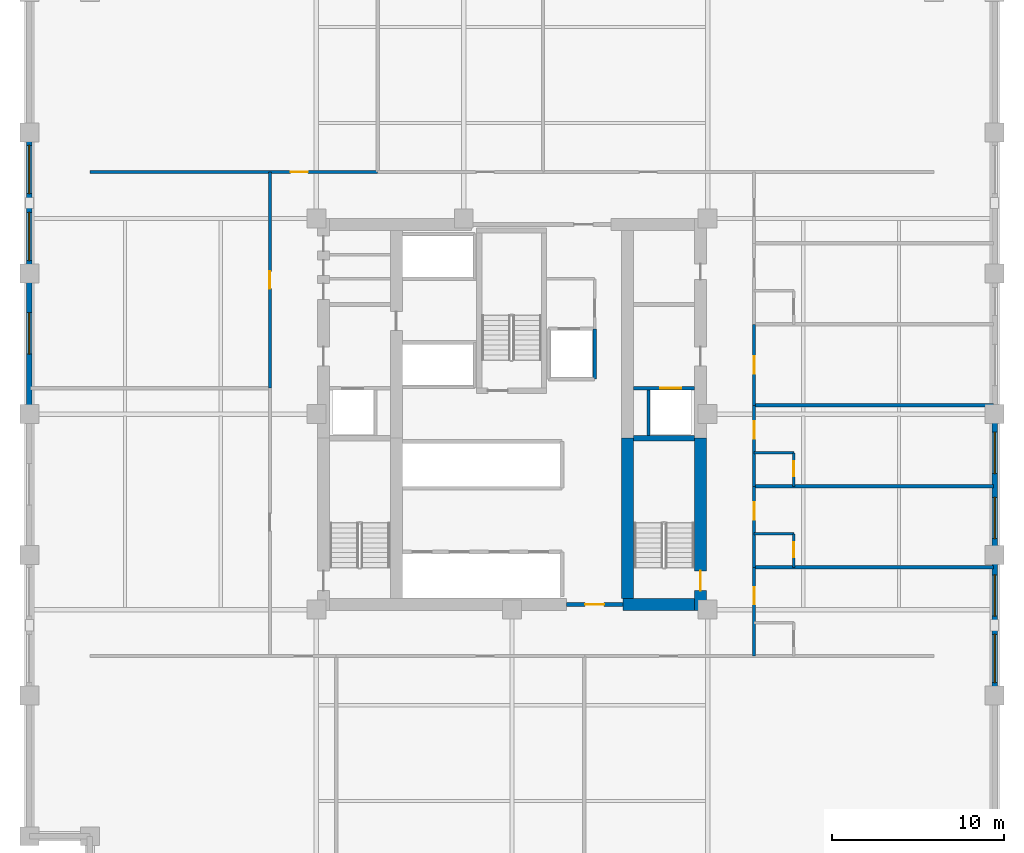
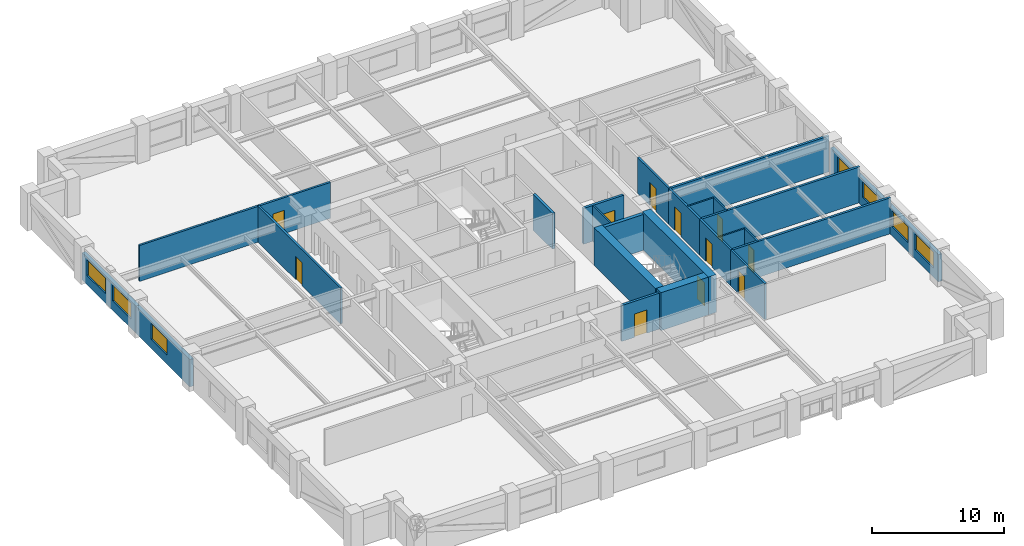
# One storey, part 5 of 9: 25 walls, 11 doors, 7 windows, 18 openings.
"""IFC4 building model written with IfcOpenShell, lengths in metres."""

from ifc_helpers import new_model, si_unit, direction, frame, frame_2d, origin, place, context, subcontext, project, spatial, rectangle, extrude, material, layer, layer_set, type_object, element, fill, save


model = new_model("IFC4")

# Units and contexts
model_context = context("Model", 3, precision=1e-05, world=origin(), true_north=direction((0.0, 1.0)))
body_context = subcontext(model_context, "Body", "Model", "MODEL_VIEW")
ifc_project = project(units=[si_unit("LENGTHUNIT", "METRE"), si_unit("AREAUNIT", "SQUARE_METRE"), si_unit("VOLUMEUNIT", "CUBIC_METRE"), si_unit("PLANEANGLEUNIT", "RADIAN"), si_unit("MASSUNIT", "GRAM", prefix="KILO")], contexts=[model_context])

# Site, building, storey
site_placement = place(None, origin())
site = spatial("IfcSite", under=ifc_project, at=site_placement, CompositionType="ELEMENT")
building_placement = place(site_placement, origin())
building = spatial("IfcBuilding", under=site, at=building_placement, Name="Nhamokura Convention Tower", CompositionType="ELEMENT")
storey_placement = place(building_placement, frame((0.0, 0.0, 66.85009765625)))
storey = spatial("IfcBuildingStorey", under=building, at=storey_placement, Name="L15", CompositionType="ELEMENT", Elevation=66.85009765625)

# Wall
ifc_material_1 = material(Name="Moisture-resistant tile-backer partition", Category="masonry")
ifc_layer_1 = layer(ifc_material_1, 0.139892578125)
ifc_layer_set_1 = layer_set([ifc_layer_1], Name="BathroomWetWall_140")
wall_type_1 = type_object("IfcWallType", Name="BathroomWetWall_140", PredefinedType="STANDARD", material=ifc_layer_set_1)
wall_1_placement = place(storey_placement, frame((46.050048828125, 25.050048828125, 0.0), z_axis=(0.0, 0.0, 1.0), x_axis=(1.0, 0.0, 0.0)))
element("IfcWall", 1, at=wall_1_placement, inside=storey, type_object=wall_type_1, Name="L15 Wall INT-L15-BW-E01N", PredefinedType="STANDARD", context=body_context, shape_type="SweptSolid", body=[
    extrude(rectangle(XDim=2.300048828125, YDim=0.139892578125, at=frame_2d((1.14990234375, 0.0))), origin(), (0.0, 0.0, 1.0), 3.31982421875),
])

# Wall, opening, door
wall_2_placement = place(storey_placement, frame((48.35009765625, 23.10009765625, 0.0), z_axis=(0.0, 0.0, 1.0), x_axis=(0.0, 1.0, 0.0)))
wall_2 = element("IfcWall", 2, at=wall_2_placement, inside=storey, type_object=wall_type_1, Name="L15 Wall INT-L15-BW-E01E", PredefinedType="STANDARD", context=body_context, shape_type="SweptSolid", body=[
    extrude(rectangle(XDim=1.949951171875, YDim=0.139892578125, at=frame_2d((0.97509765625, 0.0))), origin(), (0.0, 0.0, 1.0), 3.31982421875),
])
opening_1_placement = place(wall_2_placement, frame((0.580078125, 0.0, 0.0)))
opening_1 = element("IfcOpeningElement", 3, at=opening_1_placement, cuts=wall_2, Name="Opening D-11", PredefinedType="OPENING", context=body_context, shape_type="SweptSolid", body=[
    extrude(rectangle(XDim=0.8798828125, YDim=2.10009765625, at=frame_2d((0.43994140625, 1.050048828125))), frame((0.0, 0.079833984375, 0.0), z_axis=(0.0, -1.0, 0.0), x_axis=(1.0, 0.0, 0.0)), (0.0, 0.0, 1.0), 0.159912109375),
])
ifc_material_2 = material(Name="Solid oak hardwood", Category="wood")
door_type_1 = type_object("IfcDoorType", Name="BathroomDoor_880", OperationType="NOTDEFINED", PredefinedType="DOOR", material=ifc_material_2)
door_1_placement = place(opening_1_placement, origin())
door_1 = element("IfcDoor", 4, at=door_1_placement, inside=storey, type_object=door_type_1, Name="L15 Guest Room En-suite Door", OperationType="SINGLE_SWING_LEFT", OverallHeight=2.10009765625, OverallWidth=0.8798828125, PredefinedType="DOOR", context=body_context, shape_type="SweptSolid", body=[
    extrude(rectangle(XDim=0.8798828125, YDim=2.10009765625, at=frame_2d((0.43994140625, 1.050048828125))), frame((0.0, 0.02490234375, 0.0), z_axis=(0.0, -1.0, 0.0), x_axis=(1.0, 0.0, 0.0)), (0.0, 0.0, 1.0), 0.050048828125),
])
fill(opening_1, door_1)

# Wall
wall_3_placement = place(storey_placement, frame((46.050048828125, 29.75, 0.0), z_axis=(0.0, 0.0, 1.0), x_axis=(1.0, 0.0, 0.0)))
element("IfcWall", 5, at=wall_3_placement, inside=storey, type_object=wall_type_1, Name="L15 Wall INT-L15-BW-E02N", PredefinedType="STANDARD", context=body_context, shape_type="SweptSolid", body=[
    extrude(rectangle(XDim=2.300048828125, YDim=0.139892578125, at=frame_2d((1.14990234375, 0.0))), origin(), (0.0, 0.0, 1.0), 3.31982421875),
])

# Wall, opening, door
wall_4_placement = place(storey_placement, frame((48.35009765625, 27.800048828125, 0.0), z_axis=(0.0, 0.0, 1.0), x_axis=(0.0, 1.0, 0.0)))
wall_4 = element("IfcWall", 6, at=wall_4_placement, inside=storey, type_object=wall_type_1, Name="L15 Wall INT-L15-BW-E02E", PredefinedType="STANDARD", context=body_context, shape_type="SweptSolid", body=[
    extrude(rectangle(XDim=1.949951171875, YDim=0.139892578125, at=frame_2d((0.97509765625, 0.0))), origin(), (0.0, 0.0, 1.0), 3.31982421875),
])
opening_2_placement = place(wall_4_placement, frame((0.580078125, 0.0, 0.0)))
opening_2 = element("IfcOpeningElement", 7, at=opening_2_placement, cuts=wall_4, Name="Opening D-11", PredefinedType="OPENING", context=body_context, shape_type="SweptSolid", body=[
    extrude(rectangle(XDim=0.8798828125, YDim=2.10009765625, at=frame_2d((0.43994140625, 1.050048828125))), frame((0.0, 0.079833984375, 0.0), z_axis=(0.0, -1.0, 0.0), x_axis=(1.0, 0.0, 0.0)), (0.0, 0.0, 1.0), 0.159912109375),
])
door_2_placement = place(opening_2_placement, origin())
door_2 = element("IfcDoor", 8, at=door_2_placement, inside=storey, type_object=door_type_1, Name="L15 Guest Room En-suite Door", OperationType="SINGLE_SWING_LEFT", OverallHeight=2.10009765625, OverallWidth=0.8798828125, PredefinedType="DOOR", context=body_context, shape_type="SweptSolid", body=[
    extrude(rectangle(XDim=0.8798828125, YDim=2.10009765625, at=frame_2d((0.43994140625, 1.050048828125))), frame((0.0, 0.02490234375, 0.0), z_axis=(0.0, -1.0, 0.0), x_axis=(1.0, 0.0, 0.0)), (0.0, 0.0, 1.0), 0.050048828125),
])
fill(opening_2, door_2)

# Wall, opening, window
ifc_material_3 = material(Name="Bronze-pigmented precast concrete C45/55", Category="concrete")
ifc_layer_2 = layer(ifc_material_3, 0.320068359375)
ifc_layer_set_2 = layer_set([ifc_layer_2], Name="BronzePrecastSpandrel_320")
wall_type_2 = type_object("IfcWallType", Name="BronzePrecastSpandrel_320", PredefinedType="USERDEFINED", material=ifc_layer_set_2)
wall_5_placement = place(storey_placement, frame((4.0, 32.0, 0.0), z_axis=(0.0, 0.0, 1.0), x_axis=(0.0, 1.0, 0.0)))
wall_5 = element("IfcWall", 9, at=wall_5_placement, inside=storey, type_object=wall_type_2, Name="L15 Masonry-Frame Wall WEST 3", ObjectType="SPANDREL_WALL", PredefinedType="USERDEFINED", context=body_context, shape_type="SweptSolid", body=[
    extrude(rectangle(XDim=8.166748046875, YDim=0.320068359375, at=frame_2d((4.08349609375, 0.0))), origin(), (0.0, 0.0, 1.0), 2.52001953125),
])
opening_3_placement = place(wall_5_placement, frame((3.4833984375, 0.0, 0.85009765625)))
opening_3 = element("IfcOpeningElement", 10, at=opening_3_placement, cuts=wall_5, Name="Opening W-03", PredefinedType="OPENING", context=body_context, shape_type="SweptSolid", body=[
    extrude(rectangle(XDim=2.39990234375, YDim=1.469970703125, at=frame_2d((1.199951171875, 0.73486328125))), frame((0.0, 0.169921875, 0.0), z_axis=(0.0, -1.0, 0.0), x_axis=(1.0, 0.0, 0.0)), (0.0, 0.0, 1.0), 0.340087890625),
])
ifc_material_4 = material(Name="Solar-control bronze low-E double glass", Category="glass")
window_type_1 = type_object("IfcWindowType", Name="HotelBayWindow_2400", PartitioningType="DOUBLE_PANEL_VERTICAL", PredefinedType="WINDOW", material=ifc_material_4)
window_1_placement = place(opening_3_placement, origin())
window_1 = element("IfcWindow", 11, at=window_1_placement, inside=storey, type_object=window_type_1, Name="L15 Facade Window WEST 3-2", OverallHeight=1.469970703125, OverallWidth=2.39990234375, PartitioningType="SINGLE_PANEL", PredefinedType="WINDOW", context=body_context, shape_type="SweptSolid", body=[
    extrude(rectangle(XDim=2.39990234375, YDim=1.469970703125, at=frame_2d((1.199951171875, 0.73486328125))), frame((0.0, 0.030029296875, 0.0), z_axis=(0.0, -1.0, 0.0), x_axis=(1.0, 0.0, 0.0)), (0.0, 0.0, 1.0), 0.06005859375),
])
fill(opening_3, window_1)

# Wall, openings, windows
wall_6_placement = place(storey_placement, frame((4.0, 40.166748046875, 0.0), z_axis=(0.0, 0.0, 1.0), x_axis=(0.0, 1.0, 0.0)))
wall_6 = element("IfcWall", 12, at=wall_6_placement, inside=storey, type_object=wall_type_2, Name="L15 Masonry-Frame Wall WEST 4", ObjectType="SPANDREL_WALL", PredefinedType="USERDEFINED", context=body_context, shape_type="SweptSolid", body=[
    extrude(rectangle(XDim=8.16650390625, YDim=0.320068359375, at=frame_2d((4.083251953125, 0.0))), origin(), (0.0, 0.0, 1.0), 2.52001953125),
])
opening_4_placement = place(wall_6_placement, frame((0.74169921875, 0.0, 0.85009765625)))
opening_4 = element("IfcOpeningElement", 13, at=opening_4_placement, cuts=wall_6, Name="Opening W-04", PredefinedType="OPENING", context=body_context, shape_type="SweptSolid", body=[
    extrude(rectangle(XDim=2.800048828125, YDim=1.469970703125, at=frame_2d((1.39990234375, 0.73486328125))), frame((0.0, 0.169921875, 0.0), z_axis=(0.0, -1.0, 0.0), x_axis=(1.0, 0.0, 0.0)), (0.0, 0.0, 1.0), 0.340087890625),
])
opening_5_placement = place(wall_6_placement, frame((4.625, 0.0, 0.85009765625)))
opening_5 = element("IfcOpeningElement", 14, at=opening_5_placement, cuts=wall_6, Name="Opening W-04", PredefinedType="OPENING", context=body_context, shape_type="SweptSolid", body=[
    extrude(rectangle(XDim=2.800048828125, YDim=1.469970703125, at=frame_2d((1.39990234375, 0.73486328125))), frame((0.0, 0.169921875, 0.0), z_axis=(0.0, -1.0, 0.0), x_axis=(1.0, 0.0, 0.0)), (0.0, 0.0, 1.0), 0.340087890625),
])
ifc_material_5 = material(Name="Solar-control bronze low-E double glass", Category="glass")
window_type_2 = type_object("IfcWindowType", Name="HotelSuiteWindow_2800", PartitioningType="DOUBLE_PANEL_VERTICAL", PredefinedType="WINDOW", material=ifc_material_5)
window_2_placement = place(opening_4_placement, origin())
window_2 = element("IfcWindow", 15, at=window_2_placement, inside=storey, type_object=window_type_2, Name="L15 Facade Window WEST 4-1", OverallHeight=1.469970703125, OverallWidth=2.800048828125, PartitioningType="SINGLE_PANEL", PredefinedType="WINDOW", context=body_context, shape_type="SweptSolid", body=[
    extrude(rectangle(XDim=2.800048828125, YDim=1.469970703125, at=frame_2d((1.39990234375, 0.73486328125))), frame((0.0, 0.030029296875, 0.0), z_axis=(0.0, -1.0, 0.0), x_axis=(1.0, 0.0, 0.0)), (0.0, 0.0, 1.0), 0.06005859375),
])
fill(opening_4, window_2)
window_3_placement = place(opening_5_placement, origin())
window_3 = element("IfcWindow", 16, at=window_3_placement, inside=storey, type_object=window_type_2, Name="L15 Facade Window WEST 4-2", OverallHeight=1.469970703125, OverallWidth=2.800048828125, PartitioningType="SINGLE_PANEL", PredefinedType="WINDOW", context=body_context, shape_type="SweptSolid", body=[
    extrude(rectangle(XDim=2.800048828125, YDim=1.469970703125, at=frame_2d((1.39990234375, 0.73486328125))), frame((0.0, 0.030029296875, 0.0), z_axis=(0.0, -1.0, 0.0), x_axis=(1.0, 0.0, 0.0)), (0.0, 0.0, 1.0), 0.06005859375),
])
fill(opening_5, window_3)

wall_7_placement = place(storey_placement, frame((60.0, 23.833251953125, 0.0), z_axis=(0.0, 0.0, 1.0), x_axis=(0.0, -1.0, 0.0)))
wall_7 = element("IfcWall", 17, at=wall_7_placement, inside=storey, type_object=wall_type_2, Name="L15 Masonry-Frame Wall EAST 1", ObjectType="SPANDREL_WALL", PredefinedType="USERDEFINED", context=body_context, shape_type="SweptSolid", body=[
    extrude(rectangle(XDim=8.16650390625, YDim=0.320068359375, at=frame_2d((4.083251953125, 0.0))), origin(), (0.0, 0.0, 1.0), 2.52001953125),
])
opening_6_placement = place(wall_7_placement, frame((1.158203125, 0.0, 0.85009765625)))
opening_6 = element("IfcOpeningElement", 18, at=opening_6_placement, cuts=wall_7, Name="Opening W-03", PredefinedType="OPENING", context=body_context, shape_type="SweptSolid", body=[
    extrude(rectangle(XDim=2.39990234375, YDim=1.469970703125, at=frame_2d((1.199951171875, 0.73486328125))), frame((0.0, 0.169921875, 0.0), z_axis=(0.0, -1.0, 0.0), x_axis=(1.0, 0.0, 0.0)), (0.0, 0.0, 1.0), 0.340087890625),
])
opening_7_placement = place(wall_7_placement, frame((4.625, 0.0, 0.85009765625)))
opening_7 = element("IfcOpeningElement", 19, at=opening_7_placement, cuts=wall_7, Name="Opening W-04", PredefinedType="OPENING", context=body_context, shape_type="SweptSolid", body=[
    extrude(rectangle(XDim=2.800048828125, YDim=1.469970703125, at=frame_2d((1.39990234375, 0.73486328125))), frame((0.0, 0.169921875, 0.0), z_axis=(0.0, -1.0, 0.0), x_axis=(1.0, 0.0, 0.0)), (0.0, 0.0, 1.0), 0.340087890625),
])
window_4_placement = place(opening_6_placement, origin())
window_4 = element("IfcWindow", 20, at=window_4_placement, inside=storey, type_object=window_type_1, Name="L15 Facade Window EAST 1-1", OverallHeight=1.469970703125, OverallWidth=2.39990234375, PartitioningType="SINGLE_PANEL", PredefinedType="WINDOW", context=body_context, shape_type="SweptSolid", body=[
    extrude(rectangle(XDim=2.39990234375, YDim=1.469970703125, at=frame_2d((1.199951171875, 0.73486328125))), frame((0.0, 0.030029296875, 0.0), z_axis=(0.0, -1.0, 0.0), x_axis=(1.0, 0.0, 0.0)), (0.0, 0.0, 1.0), 0.06005859375),
])
fill(opening_6, window_4)
window_5_placement = place(opening_7_placement, origin())
window_5 = element("IfcWindow", 21, at=window_5_placement, inside=storey, type_object=window_type_2, Name="L15 Facade Window EAST 1-2", OverallHeight=1.469970703125, OverallWidth=2.800048828125, PartitioningType="SINGLE_PANEL", PredefinedType="WINDOW", context=body_context, shape_type="SweptSolid", body=[
    extrude(rectangle(XDim=2.800048828125, YDim=1.469970703125, at=frame_2d((1.39990234375, 0.73486328125))), frame((0.0, 0.030029296875, 0.0), z_axis=(0.0, -1.0, 0.0), x_axis=(1.0, 0.0, 0.0)), (0.0, 0.0, 1.0), 0.06005859375),
])
fill(opening_7, window_5)

wall_8_placement = place(storey_placement, frame((60.0, 32.0, 0.0), z_axis=(0.0, 0.0, 1.0), x_axis=(0.0, -1.0, 0.0)))
wall_8 = element("IfcWall", 22, at=wall_8_placement, inside=storey, type_object=wall_type_2, Name="L15 Masonry-Frame Wall EAST 2", ObjectType="SPANDREL_WALL", PredefinedType="USERDEFINED", context=body_context, shape_type="SweptSolid", body=[
    extrude(rectangle(XDim=8.166748046875, YDim=0.320068359375, at=frame_2d((4.08349609375, 0.0))), origin(), (0.0, 0.0, 1.0), 2.52001953125),
])
opening_8_placement = place(wall_8_placement, frame((1.050048828125, 0.0, 0.85009765625)))
opening_8 = element("IfcOpeningElement", 23, at=opening_8_placement, cuts=wall_8, Name="Opening W-03", PredefinedType="OPENING", context=body_context, shape_type="SweptSolid", body=[
    extrude(rectangle(XDim=2.39990234375, YDim=1.469970703125, at=frame_2d((1.199951171875, 0.73486328125))), frame((0.0, 0.169921875, 0.0), z_axis=(0.0, -1.0, 0.0), x_axis=(1.0, 0.0, 0.0)), (0.0, 0.0, 1.0), 0.340087890625),
])
opening_9_placement = place(wall_8_placement, frame((4.833251953125, 0.0, 0.85009765625)))
opening_9 = element("IfcOpeningElement", 24, at=opening_9_placement, cuts=wall_8, Name="Opening W-03", PredefinedType="OPENING", context=body_context, shape_type="SweptSolid", body=[
    extrude(rectangle(XDim=2.39990234375, YDim=1.469970703125, at=frame_2d((1.199951171875, 0.73486328125))), frame((0.0, 0.169921875, 0.0), z_axis=(0.0, -1.0, 0.0), x_axis=(1.0, 0.0, 0.0)), (0.0, 0.0, 1.0), 0.340087890625),
])
window_6_placement = place(opening_8_placement, origin())
window_6 = element("IfcWindow", 25, at=window_6_placement, inside=storey, type_object=window_type_1, Name="L15 Facade Window EAST 2-1", OverallHeight=1.469970703125, OverallWidth=2.39990234375, PartitioningType="SINGLE_PANEL", PredefinedType="WINDOW", context=body_context, shape_type="SweptSolid", body=[
    extrude(rectangle(XDim=2.39990234375, YDim=1.469970703125, at=frame_2d((1.199951171875, 0.73486328125))), frame((0.0, 0.030029296875, 0.0), z_axis=(0.0, -1.0, 0.0), x_axis=(1.0, 0.0, 0.0)), (0.0, 0.0, 1.0), 0.06005859375),
])
fill(opening_8, window_6)
window_7_placement = place(opening_9_placement, origin())
window_7 = element("IfcWindow", 26, at=window_7_placement, inside=storey, type_object=window_type_1, Name="L15 Facade Window EAST 2-2", OverallHeight=1.469970703125, OverallWidth=2.39990234375, PartitioningType="SINGLE_PANEL", PredefinedType="WINDOW", context=body_context, shape_type="SweptSolid", body=[
    extrude(rectangle(XDim=2.39990234375, YDim=1.469970703125, at=frame_2d((1.199951171875, 0.73486328125))), frame((0.0, 0.030029296875, 0.0), z_axis=(0.0, -1.0, 0.0), x_axis=(1.0, 0.0, 0.0)), (0.0, 0.0, 1.0), 0.06005859375),
])
fill(opening_9, window_7)

# Wall, opening, door
ifc_material_6 = material(Name="Concrete C70/85", Category="concrete")
ifc_layer_3 = layer(ifc_material_6, 0.699951171875)
ifc_layer_set_3 = layer_set([ifc_layer_3], Name="CoreShearWall_700")
wall_type_3 = type_object("IfcWallType", Name="CoreShearWall_700", PredefinedType="SHEAR", material=ifc_layer_set_3)
wall_9_placement = place(storey_placement, frame((42.93994140625, 20.60009765625, 0.0), z_axis=(0.0, 0.0, 1.0), x_axis=(0.0, 1.0, 0.0)))
wall_9 = element("IfcWall", 27, at=wall_9_placement, inside=storey, type_object=wall_type_3, Name="L15 Core Shear Wall CW-ES", PredefinedType="SHEAR", context=body_context, shape_type="SweptSolid", body=[
    extrude(rectangle(XDim=10.0, YDim=0.699951171875, at=frame_2d((5.0, 0.0))), origin(), (0.0, 0.0, 1.0), 3.5),
])
opening_10_placement = place(wall_9_placement, frame((1.14990234375, 0.0, 0.0)))
opening_10 = element("IfcOpeningElement", 28, at=opening_10_placement, cuts=wall_9, Name="Opening D-04", PredefinedType="OPENING", context=body_context, shape_type="SweptSolid", body=[
    extrude(rectangle(XDim=1.14990234375, YDim=2.14990234375, at=frame_2d((0.574951171875, 1.074951171875))), frame((0.0, 0.35986328125, 0.0), z_axis=(0.0, -1.0, 0.0), x_axis=(1.0, 0.0, 0.0)), (0.0, 0.0, 1.0), 0.719970703125),
])
ifc_material_7 = material(Name="Fire-rated steel door", Category="steel")
door_type_2 = type_object("IfcDoorType", Name="StairSmokeDoor_1150", OperationType="NOTDEFINED", PredefinedType="DOOR", material=ifc_material_7)
door_3_placement = place(opening_10_placement, origin())
door_3 = element("IfcDoor", 29, at=door_3_placement, inside=storey, type_object=door_type_2, Name="L15 Core Door INT-L15-D-ST02", OperationType="SINGLE_SWING_RIGHT", OverallHeight=2.14990234375, OverallWidth=1.14990234375, PredefinedType="DOOR", context=body_context, shape_type="SweptSolid", body=[
    extrude(rectangle(XDim=1.14990234375, YDim=2.14990234375, at=frame_2d((0.574951171875, 1.074951171875))), frame((0.0, 0.02490234375, 0.0), z_axis=(0.0, -1.0, 0.0), x_axis=(1.0, 0.0, 0.0)), (0.0, 0.0, 1.0), 0.050048828125),
])
fill(opening_10, door_3)

# Walls
wall_10_placement = place(storey_placement, frame((38.449951171875, 20.949951171875, 0.0), z_axis=(0.0, 0.0, 1.0), x_axis=(1.0, 0.0, 0.0)))
element("IfcWall", 30, at=wall_10_placement, inside=storey, type_object=wall_type_3, Name="L15 Core Shear Wall CW-S2", PredefinedType="SHEAR", context=body_context, shape_type="SweptSolid", body=[
    extrude(rectangle(XDim=4.14013671875, YDim=0.699951171875, at=frame_2d((2.070068359375, 0.0))), origin(), (0.0, 0.0, 1.0), 3.5),
])
wall_11_placement = place(storey_placement, frame((38.7099609375, 21.300048828125, 0.0), z_axis=(0.0, 0.0, 1.0), x_axis=(0.0, 1.0, 0.0)))
element("IfcWall", 31, at=wall_11_placement, inside=storey, type_object=wall_type_3, Name="L15 Core Shear Wall CW-IES", PredefinedType="SHEAR", context=body_context, shape_type="SweptSolid", body=[
    extrude(rectangle(XDim=9.300048828125, YDim=0.699951171875, at=frame_2d((4.64990234375, 0.0))), origin(), (0.0, 0.0, 1.0), 3.5),
])

# Wall, opening, door
ifc_material_8 = material(Name="Fire-rated gypsum and masonry partition", Category="masonry")
ifc_layer_4 = layer(ifc_material_8, 0.179931640625)
ifc_layer_set_4 = layer_set([ifc_layer_4], Name="CorridorRatedWall_180")
wall_type_4 = type_object("IfcWallType", Name="CorridorRatedWall_180", PredefinedType="STANDARD", material=ifc_layer_set_4)
wall_12_placement = place(storey_placement, frame((7.5, 46.050048828125, 0.0), z_axis=(0.0, 0.0, 1.0), x_axis=(1.0, 0.0, 0.0)))
wall_12 = element("IfcWall", 32, at=wall_12_placement, inside=storey, type_object=wall_type_4, Name="L15 Wall INT-L15-CW-N00", PredefinedType="STANDARD", context=body_context, shape_type="SweptSolid", body=[
    extrude(rectangle(XDim=16.699951171875, YDim=0.179931640625, at=frame_2d((8.35009765625, 0.0))), origin(), (0.0, 0.0, 1.0), 3.31982421875),
])
opening_11_placement = place(wall_12_placement, frame((11.64990234375, 0.0, 0.0)))
opening_11 = element("IfcOpeningElement", 33, at=opening_11_placement, cuts=wall_12, Name="Opening D-07", PredefinedType="OPENING", context=body_context, shape_type="SweptSolid", body=[
    extrude(rectangle(XDim=1.0, YDim=2.14990234375, at=frame_2d((0.5, 1.074951171875))), frame((0.0, 0.099853515625, 0.0), z_axis=(0.0, -1.0, 0.0), x_axis=(1.0, 0.0, 0.0)), (0.0, 0.0, 1.0), 0.199951171875),
])
ifc_material_9 = material(Name="Solid oak hardwood", Category="wood")
door_type_3 = type_object("IfcDoorType", Name="HotelSuiteEntryDoor_1000", OperationType="NOTDEFINED", PredefinedType="DOOR", material=ifc_material_9)
door_4_placement = place(opening_11_placement, origin())
door_4 = element("IfcDoor", 34, at=door_4_placement, inside=storey, type_object=door_type_3, Name="L15 Conference Salon N01 Door", OperationType="SINGLE_SWING_LEFT", OverallHeight=2.14990234375, OverallWidth=1.0, PredefinedType="DOOR", context=body_context, shape_type="SweptSolid", body=[
    extrude(rectangle(XDim=1.0, YDim=2.14990234375, at=frame_2d((0.5, 1.074951171875))), frame((0.0, 0.02490234375, 0.0), z_axis=(0.0, -1.0, 0.0), x_axis=(1.0, 0.0, 0.0)), (0.0, 0.0, 1.0), 0.050048828125),
])
fill(opening_11, door_4)

wall_13_placement = place(storey_placement, frame((17.949951171875, 33.5, 0.0), z_axis=(0.0, 0.0, 1.0), x_axis=(0.0, 1.0, 0.0)))
wall_13 = element("IfcWall", 35, at=wall_13_placement, inside=storey, type_object=wall_type_4, Name="L15 Wall INT-L15-CW-W01", PredefinedType="STANDARD", context=body_context, shape_type="SweptSolid", body=[
    extrude(rectangle(XDim=12.550048828125, YDim=0.179931640625, at=frame_2d((6.27490234375, 0.0))), origin(), (0.0, 0.0, 1.0), 3.31982421875),
])
opening_12_placement = place(wall_13_placement, frame((5.77490234375, 0.0, 0.0)))
opening_12 = element("IfcOpeningElement", 36, at=opening_12_placement, cuts=wall_13, Name="Opening D-07", PredefinedType="OPENING", context=body_context, shape_type="SweptSolid", body=[
    extrude(rectangle(XDim=1.0, YDim=2.14990234375, at=frame_2d((0.5, 1.074951171875))), frame((0.0, 0.099853515625, 0.0), z_axis=(0.0, -1.0, 0.0), x_axis=(1.0, 0.0, 0.0)), (0.0, 0.0, 1.0), 0.199951171875),
])
door_5_placement = place(opening_12_placement, origin())
door_5 = element("IfcDoor", 37, at=door_5_placement, inside=storey, type_object=door_type_3, Name="L15 Hotel Club Dining Room W02 Door", OperationType="SINGLE_SWING_RIGHT", OverallHeight=2.14990234375, OverallWidth=1.0, PredefinedType="DOOR", context=body_context, shape_type="SweptSolid", body=[
    extrude(rectangle(XDim=1.0, YDim=2.14990234375, at=frame_2d((0.5, 1.074951171875))), frame((0.0, 0.02490234375, 0.0), z_axis=(0.0, -1.0, 0.0), x_axis=(1.0, 0.0, 0.0)), (0.0, 0.0, 1.0), 0.050048828125),
])
fill(opening_12, door_5)

wall_14_placement = place(storey_placement, frame((46.050048828125, 17.949951171875, 0.0), z_axis=(0.0, 0.0, 1.0), x_axis=(0.0, 1.0, 0.0)))
wall_14 = element("IfcWall", 38, at=wall_14_placement, inside=storey, type_object=wall_type_4, Name="L15 Wall INT-L15-CW-E00", PredefinedType="STANDARD", context=body_context, shape_type="SweptSolid", body=[
    extrude(rectangle(XDim=5.150146484375, YDim=0.179931640625, at=frame_2d((2.5751953125, 0.0))), origin(), (0.0, 0.0, 1.0), 3.31982421875),
])
opening_13_placement = place(wall_14_placement, frame((3.0, 0.0, 0.0)))
opening_13 = element("IfcOpeningElement", 39, at=opening_13_placement, cuts=wall_14, Name="Opening D-07", PredefinedType="OPENING", context=body_context, shape_type="SweptSolid", body=[
    extrude(rectangle(XDim=1.0, YDim=2.14990234375, at=frame_2d((0.5, 1.074951171875))), frame((0.0, 0.099853515625, 0.0), z_axis=(0.0, -1.0, 0.0), x_axis=(1.0, 0.0, 0.0)), (0.0, 0.0, 1.0), 0.199951171875),
])
door_6_placement = place(opening_13_placement, origin())
door_6 = element("IfcDoor", 40, at=door_6_placement, inside=storey, type_object=door_type_3, Name="L15 Guest Room E01 Door", OperationType="SINGLE_SWING_LEFT", OverallHeight=2.14990234375, OverallWidth=1.0, PredefinedType="DOOR", context=body_context, shape_type="SweptSolid", body=[
    extrude(rectangle(XDim=1.0, YDim=2.14990234375, at=frame_2d((0.5, 1.074951171875))), frame((0.0, 0.02490234375, 0.0), z_axis=(0.0, -1.0, 0.0), x_axis=(1.0, 0.0, 0.0)), (0.0, 0.0, 1.0), 0.050048828125),
])
fill(opening_13, door_6)

wall_15_placement = place(storey_placement, frame((46.050048828125, 23.10009765625, 0.0), z_axis=(0.0, 0.0, 1.0), x_axis=(0.0, 1.0, 0.0)))
wall_15 = element("IfcWall", 41, at=wall_15_placement, inside=storey, type_object=wall_type_4, Name="L15 Wall INT-L15-CW-E01", PredefinedType="STANDARD", context=body_context, shape_type="SweptSolid", body=[
    extrude(rectangle(XDim=4.699951171875, YDim=0.179931640625, at=frame_2d((2.35009765625, 0.0))), origin(), (0.0, 0.0, 1.0), 3.31982421875),
])
opening_14_placement = place(wall_15_placement, frame((2.77490234375, 0.0, 0.0)))
opening_14 = element("IfcOpeningElement", 42, at=opening_14_placement, cuts=wall_15, Name="Opening D-07", PredefinedType="OPENING", context=body_context, shape_type="SweptSolid", body=[
    extrude(rectangle(XDim=1.0, YDim=2.14990234375, at=frame_2d((0.5, 1.074951171875))), frame((0.0, 0.099853515625, 0.0), z_axis=(0.0, -1.0, 0.0), x_axis=(1.0, 0.0, 0.0)), (0.0, 0.0, 1.0), 0.199951171875),
])
door_7_placement = place(opening_14_placement, origin())
door_7 = element("IfcDoor", 43, at=door_7_placement, inside=storey, type_object=door_type_3, Name="L15 Guest Room E02 Door", OperationType="SINGLE_SWING_RIGHT", OverallHeight=2.14990234375, OverallWidth=1.0, PredefinedType="DOOR", context=body_context, shape_type="SweptSolid", body=[
    extrude(rectangle(XDim=1.0, YDim=2.14990234375, at=frame_2d((0.5, 1.074951171875))), frame((0.0, 0.02490234375, 0.0), z_axis=(0.0, -1.0, 0.0), x_axis=(1.0, 0.0, 0.0)), (0.0, 0.0, 1.0), 0.050048828125),
])
fill(opening_14, door_7)

wall_16_placement = place(storey_placement, frame((46.050048828125, 27.800048828125, 0.0), z_axis=(0.0, 0.0, 1.0), x_axis=(0.0, 1.0, 0.0)))
wall_16 = element("IfcWall", 44, at=wall_16_placement, inside=storey, type_object=wall_type_4, Name="L15 Wall INT-L15-CW-E02", PredefinedType="STANDARD", context=body_context, shape_type="SweptSolid", body=[
    extrude(rectangle(XDim=4.699951171875, YDim=0.179931640625, at=frame_2d((2.35009765625, 0.0))), origin(), (0.0, 0.0, 1.0), 3.31982421875),
])
opening_15_placement = place(wall_16_placement, frame((2.77490234375, 0.0, 0.0)))
opening_15 = element("IfcOpeningElement", 45, at=opening_15_placement, cuts=wall_16, Name="Opening D-07", PredefinedType="OPENING", context=body_context, shape_type="SweptSolid", body=[
    extrude(rectangle(XDim=1.0, YDim=2.14990234375, at=frame_2d((0.5, 1.074951171875))), frame((0.0, 0.099853515625, 0.0), z_axis=(0.0, -1.0, 0.0), x_axis=(1.0, 0.0, 0.0)), (0.0, 0.0, 1.0), 0.199951171875),
])
door_8_placement = place(opening_15_placement, origin())
door_8 = element("IfcDoor", 46, at=door_8_placement, inside=storey, type_object=door_type_3, Name="L15 Guest Room E03 Door", OperationType="SINGLE_SWING_LEFT", OverallHeight=2.14990234375, OverallWidth=1.0, PredefinedType="DOOR", context=body_context, shape_type="SweptSolid", body=[
    extrude(rectangle(XDim=1.0, YDim=2.14990234375, at=frame_2d((0.5, 1.074951171875))), frame((0.0, 0.02490234375, 0.0), z_axis=(0.0, -1.0, 0.0), x_axis=(1.0, 0.0, 0.0)), (0.0, 0.0, 1.0), 0.050048828125),
])
fill(opening_15, door_8)

wall_17_placement = place(storey_placement, frame((46.050048828125, 32.5, 0.0), z_axis=(0.0, 0.0, 1.0), x_axis=(0.0, 1.0, 0.0)))
wall_17 = element("IfcWall", 47, at=wall_17_placement, inside=storey, type_object=wall_type_4, Name="L15 Wall INT-L15-CW-E03", PredefinedType="STANDARD", context=body_context, shape_type="SweptSolid", body=[
    extrude(rectangle(XDim=4.699951171875, YDim=0.179931640625, at=frame_2d((2.35009765625, 0.0))), origin(), (0.0, 0.0, 1.0), 3.31982421875),
])
opening_16_placement = place(wall_17_placement, frame((1.85009765625, 0.0, 0.0)))
opening_16 = element("IfcOpeningElement", 48, at=opening_16_placement, cuts=wall_17, Name="Opening D-07", PredefinedType="OPENING", context=body_context, shape_type="SweptSolid", body=[
    extrude(rectangle(XDim=1.0, YDim=2.14990234375, at=frame_2d((0.5, 1.074951171875))), frame((0.0, 0.099853515625, 0.0), z_axis=(0.0, -1.0, 0.0), x_axis=(1.0, 0.0, 0.0)), (0.0, 0.0, 1.0), 0.199951171875),
])
door_9_placement = place(opening_16_placement, origin())
door_9 = element("IfcDoor", 49, at=door_9_placement, inside=storey, type_object=door_type_3, Name="L15 Housekeeping Store E04 Door", OperationType="SINGLE_SWING_RIGHT", OverallHeight=2.14990234375, OverallWidth=1.0, PredefinedType="DOOR", context=body_context, shape_type="SweptSolid", body=[
    extrude(rectangle(XDim=1.0, YDim=2.14990234375, at=frame_2d((0.5, 1.074951171875))), frame((0.0, 0.02490234375, 0.0), z_axis=(0.0, -1.0, 0.0), x_axis=(1.0, 0.0, 0.0)), (0.0, 0.0, 1.0), 0.050048828125),
])
fill(opening_16, door_9)

ifc_material_10 = material(Name="Autoclaved concrete blockwork", Category="masonry")
ifc_layer_5 = layer(ifc_material_10, 0.219970703125)
ifc_layer_set_5 = layer_set([ifc_layer_5], Name="FireLobbyWall_220")
wall_type_5 = type_object("IfcWallType", Name="FireLobbyWall_220", PredefinedType="STANDARD", material=ifc_layer_set_5)
wall_18_placement = place(storey_placement, frame((39.06005859375, 33.5, 0.0), z_axis=(0.0, 0.0, 1.0), x_axis=(1.0, 0.0, 0.0)))
wall_18 = element("IfcWall", 50, at=wall_18_placement, inside=storey, type_object=wall_type_5, Name="L15 Wall INT-L15-FFE-S", PredefinedType="STANDARD", context=body_context, shape_type="SweptSolid", body=[
    extrude(rectangle(XDim=3.530029296875, YDim=0.219970703125, at=frame_2d((1.76513671875, 0.0))), origin(), (0.0, 0.0, 1.0), 3.31982421875),
])
opening_17_placement = place(wall_18_placement, frame((1.550048828125, 0.0, 0.0)))
opening_17 = element("IfcOpeningElement", 51, at=opening_17_placement, cuts=wall_18, Name="Opening LD-02", PredefinedType="OPENING", context=body_context, shape_type="SweptSolid", body=[
    extrude(rectangle(XDim=1.199951171875, YDim=2.199951171875, at=frame_2d((0.60009765625, 1.10009765625))), frame((0.0, 0.119873046875, 0.0), z_axis=(0.0, -1.0, 0.0), x_axis=(1.0, 0.0, 0.0)), (0.0, 0.0, 1.0), 0.239990234375),
])
ifc_material_11 = material(Name="Anodised bronze stainless steel", Category="steel")
door_type_4 = type_object("IfcDoorType", Name="LiftLandingDoor_FireService", OperationType="DOUBLE_DOOR_SLIDING", PredefinedType="DOOR", material=ifc_material_11)
door_10_placement = place(opening_17_placement, origin())
door_10 = element("IfcDoor", 52, at=door_10_placement, inside=storey, type_object=door_type_4, Name="L15 Firefighting Lift LF-02 Door", OperationType="DOUBLE_DOOR_SLIDING", OverallHeight=2.199951171875, OverallWidth=1.199951171875, PredefinedType="DOOR", context=body_context, shape_type="SweptSolid", body=[
    extrude(rectangle(XDim=1.199951171875, YDim=2.199951171875, at=frame_2d((0.60009765625, 1.10009765625))), frame((0.0, 0.02490234375, 0.0), z_axis=(0.0, -1.0, 0.0), x_axis=(1.0, 0.0, 0.0)), (0.0, 0.0, 1.0), 0.050048828125),
])
fill(opening_17, door_10)

wall_19_placement = place(storey_placement, frame((35.14990234375, 20.949951171875, 0.0), z_axis=(0.0, 0.0, 1.0), x_axis=(1.0, 0.0, 0.0)))
wall_19 = element("IfcWall", 53, at=wall_19_placement, inside=storey, type_object=wall_type_5, Name="L15 Wall INT-L15-SPORT-S", PredefinedType="STANDARD", context=body_context, shape_type="SweptSolid", body=[
    extrude(rectangle(XDim=3.300048828125, YDim=0.219970703125, at=frame_2d((1.64990234375, 0.0))), origin(), (0.0, 0.0, 1.0), 3.31982421875),
])
opening_18_placement = place(wall_19_placement, frame((1.10009765625, 0.0, 0.0)))
opening_18 = element("IfcOpeningElement", 54, at=opening_18_placement, cuts=wall_19, Name="Opening D-05", PredefinedType="OPENING", context=body_context, shape_type="SweptSolid", body=[
    extrude(rectangle(XDim=1.10009765625, YDim=2.14990234375, at=frame_2d((0.550048828125, 1.074951171875))), frame((0.0, 0.119873046875, 0.0), z_axis=(0.0, -1.0, 0.0), x_axis=(1.0, 0.0, 0.0)), (0.0, 0.0, 1.0), 0.239990234375),
])
ifc_material_12 = material(Name="Fire-rated steel door", Category="steel")
door_type_5 = type_object("IfcDoorType", Name="FireLobbyDoor_1100", OperationType="NOTDEFINED", PredefinedType="DOOR", material=ifc_material_12)
door_11_placement = place(opening_18_placement, origin())
door_11 = element("IfcDoor", 55, at=door_11_placement, inside=storey, type_object=door_type_5, Name="L15 South Core Lobby Portal Door", OperationType="SINGLE_SWING_LEFT", OverallHeight=2.14990234375, OverallWidth=1.10009765625, PredefinedType="DOOR", context=body_context, shape_type="SweptSolid", body=[
    extrude(rectangle(XDim=1.10009765625, YDim=2.14990234375, at=frame_2d((0.550048828125, 1.074951171875))), frame((0.0, 0.02490234375, 0.0), z_axis=(0.0, -1.0, 0.0), x_axis=(1.0, 0.0, 0.0)), (0.0, 0.0, 1.0), 0.050048828125),
])
fill(opening_18, door_11)

# Walls
wall_20_placement = place(storey_placement, frame((36.800048828125, 34.02001953125, 0.0), z_axis=(0.0, 0.0, 1.0), x_axis=(0.0, 1.0, 0.0)))
element("IfcWall", 56, at=wall_20_placement, inside=storey, type_object=wall_type_5, Name="L15 Wall INT-L15-LSE", PredefinedType="STANDARD", context=body_context, shape_type="SweptSolid", body=[
    extrude(rectangle(XDim=2.929931640625, YDim=0.219970703125, at=frame_2d((1.46484375, 0.0))), origin(), (0.0, 0.0, 1.0), 3.31982421875),
])
ifc_material_13 = material(Name="Acoustic twin-stud gypsum partition", Category="masonry")
ifc_layer_6 = layer(ifc_material_13, 0.199951171875)
ifc_layer_set_6 = layer_set([ifc_layer_6], Name="HotelDemisingWall_200")
wall_type_6 = type_object("IfcWallType", Name="HotelDemisingWall_200", PredefinedType="STANDARD", material=ifc_layer_set_6)
for number, where, z_axis, x_axis, name in (
    (57, (46.050048828125, 23.10009765625, 0.0), (0.0, 0.0, 1.0), (1.0, 0.0, 0.0), "L15 Wall INT-L15-RW-E01"),
    (58, (46.050048828125, 27.800048828125, 0.0), (0.0, 0.0, 1.0), (1.0, 0.0, 0.0), "L15 Wall INT-L15-RW-E02"),
    (59, (46.050048828125, 32.5, 0.0), (0.0, 0.0, 1.0), (1.0, 0.0, 0.0), "L15 Wall INT-L15-RW-E03"),
):
    element("IfcWall", number, at=place(storey_placement, frame(where, z_axis=z_axis, x_axis=x_axis)), inside=storey, type_object=wall_type_6, Name=name, PredefinedType="STANDARD", context=body_context, shape_type="SweptSolid", body=[
        extrude(rectangle(XDim=13.889892578125, YDim=0.199951171875, at=frame_2d((6.94482421875, 0.0))), origin(), (0.0, 0.0, 1.0), 3.31982421875),
    ])
ifc_material_14 = material(Name="Acoustic gypsum stud partition", Category="masonry")
ifc_layer_7 = layer(ifc_material_14, 0.14990234375)
ifc_layer_set_7 = layer_set([ifc_layer_7], Name="InteriorPartition_150")
wall_type_7 = type_object("IfcWallType", Name="InteriorPartition_150", PredefinedType="STANDARD", material=ifc_layer_set_7)
wall_21_placement = place(storey_placement, frame((39.919921875, 30.75, 0.0), z_axis=(0.0, 0.0, 1.0), x_axis=(0.0, 1.0, 0.0)))
element("IfcWall", 60, at=wall_21_placement, inside=storey, type_object=wall_type_7, Name="L15 Wall INT-L15-FF2-W", PredefinedType="STANDARD", context=body_context, shape_type="SweptSolid", body=[
    extrude(rectangle(XDim=2.64990234375, YDim=0.14990234375, at=frame_2d((1.324951171875, 0.0))), origin(), (0.0, 0.0, 1.0), 3.31982421875),
])
ifc_material_15 = material(Name="Concrete C50/60", Category="concrete")
ifc_layer_8 = layer(ifc_material_15, 0.300048828125)
ifc_layer_set_8 = layer_set([ifc_layer_8], Name="ShaftEnclosureWall_300")
wall_type_8 = type_object("IfcWallType", Name="ShaftEnclosureWall_300", PredefinedType="SHEAR", material=ifc_layer_set_8)
wall_22_placement = place(storey_placement, frame((39.06005859375, 30.60009765625, 0.0), z_axis=(0.0, 0.0, 1.0), x_axis=(1.0, 0.0, 0.0)))
element("IfcWall", 61, at=wall_22_placement, inside=storey, type_object=wall_type_8, Name="L15 Wall INT-L15-ST02-N", PredefinedType="SHEAR", context=body_context, shape_type="SweptSolid", body=[
    extrude(rectangle(XDim=3.530029296875, YDim=0.300048828125, at=frame_2d((1.76513671875, 0.0))), origin(), (0.0, 0.0, 1.0), 3.31982421875),
])

save(model, "model.ifc")
